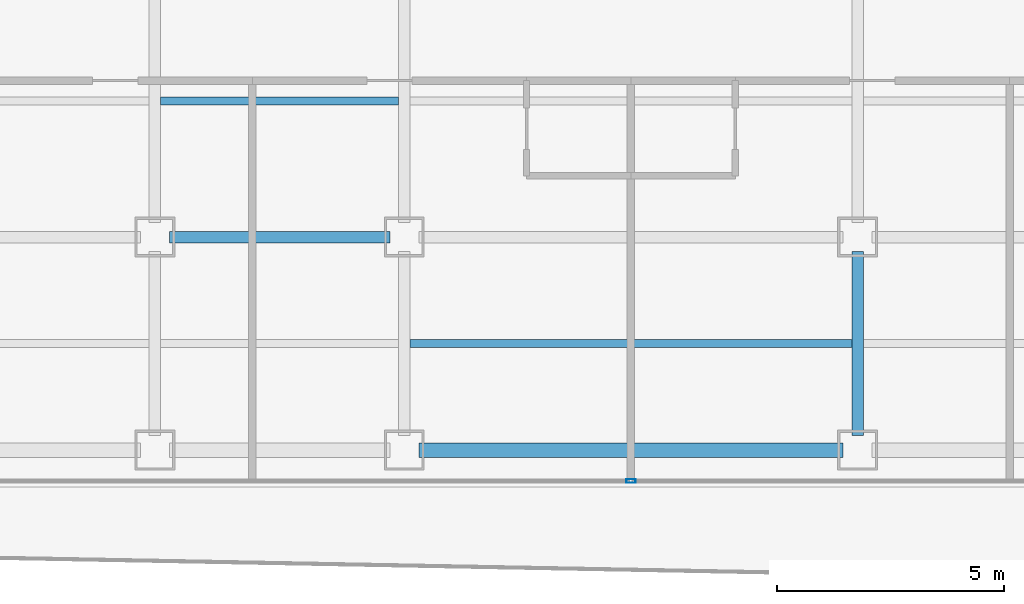
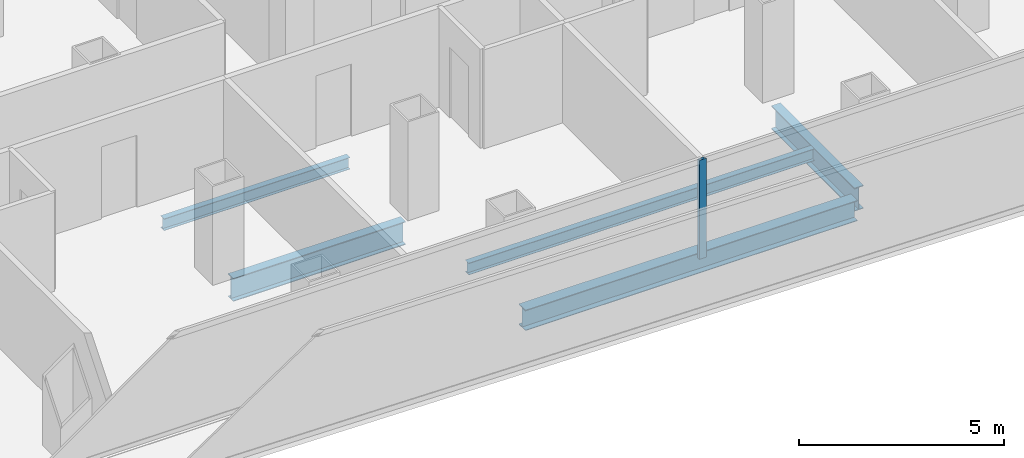
# One storey, part 4 of 21: 5 beams, 1 member, 1 element without a shape of its own.
"""IFC4 building model written with IfcOpenShell, lengths in metres."""

from ifc_helpers import new_model, si_unit, direction, frame, origin, origin_2d, place, context, subcontext, project, spatial, hollow_rectangle, i_section, extrude, source, transform, mapped, material, layer, layer_set, material_profile, profile_set, type_object, element, aggregate, save


model = new_model("IFC4")

# Units and contexts
model_context = context("Model", 3, precision=1e-05, world=origin(), true_north=direction((0.0, 1.0)))
body_context = subcontext(model_context, "Body", "Model", "MODEL_VIEW")
ifc_project = project(units=[si_unit("LENGTHUNIT", "METRE"), si_unit("AREAUNIT", "SQUARE_METRE"), si_unit("VOLUMEUNIT", "CUBIC_METRE"), si_unit("PLANEANGLEUNIT", "RADIAN"), si_unit("MASSUNIT", "GRAM", prefix="KILO")], contexts=[model_context])

# Site, building, storey
site_placement = place(None, origin())
site = spatial("IfcSite", under=ifc_project, at=site_placement, CompositionType="ELEMENT")
building_placement = place(site_placement, origin())
building = spatial("IfcBuilding", under=site, at=building_placement, Name="Kolveth Station Tower", CompositionType="ELEMENT")
storey_placement = place(building_placement, frame((0.0, 0.0, 95.89990234375)))
storey = spatial("IfcBuildingStorey", under=building, at=storey_placement, Name="L25", CompositionType="ELEMENT", Elevation=95.89990234375)

# Beams
ifc_material_1 = material(Name="Steel S355", Category="steel")
ifc_material_profile_1 = material_profile(ifc_material_1, i_section(OverallWidth=0.323974609375, OverallDepth=0.611083984375, WebThickness=0.0126953125, FlangeThickness=0.01904296875, at=origin_2d()), Name="W610x155")
ifc_profile_set_1 = profile_set([ifc_material_profile_1], Name="Steel S355")
beam_type_1 = type_object("IfcBeamType", Name="Beam_SP2", PredefinedType="SPANDREL", material=ifc_profile_set_1)
shared_shape_1 = source(origin(), body_context, "Body", "SweptSolid", [
    extrude(i_section(OverallWidth=0.323974609375, OverallDepth=0.611083984375, WebThickness=0.0126953125, FlangeThickness=0.01904296875, at=origin_2d()), origin(), (0.0, 0.0, 1.0), 9.35986328125),
])
beam_1_placement = place(storey_placement, frame((18.820068359375, 0.800048828125, -0.555419921875), z_axis=(1.0, 0.0, 0.0), x_axis=(0.0, 1.0, 0.0)))
element("IfcBeam", 1, at=beam_1_placement, inside=storey, type_object=beam_type_1, Name="L25 Perimeter Spandrel BM-L25-PS-3", PredefinedType="SPANDREL", context=body_context, shape_type="MappedRepresentation", body=[
    mapped(shared_shape_1, transform((0.0, 0.0, 0.0), x_axis=(1.0, 0.0, 0.0), y_axis=(0.0, 1.0, 0.0), z_axis=(0.0, 0.0, 1.0), scale=1.0)),
])
ifc_material_profile_2 = material_profile(ifc_material_1, i_section(OverallWidth=0.25390625, OverallDepth=0.68798828125, WebThickness=0.01318359375, FlangeThickness=0.02099609375, at=origin_2d()), Name="W690x152")
ifc_profile_set_2 = profile_set([ifc_material_profile_2], Name="Steel S355")
beam_type_2 = type_object("IfcBeamType", Name="Beam_B4", PredefinedType="BEAM", material=ifc_profile_set_2)
shared_shape_2 = source(origin(), body_context, "Body", "SweptSolid", [
    extrude(i_section(OverallWidth=0.25390625, OverallDepth=0.68798828125, WebThickness=0.01318359375, FlangeThickness=0.02099609375, at=origin_2d()), origin(), (0.0, 0.0, 1.0), 4.85986328125),
])
beam_2_placement = place(storey_placement, frame((13.320068359375, 5.5, -0.593994140625), z_axis=(1.0, 0.0, 0.0), x_axis=(0.0, 1.0, 0.0)))
element("IfcBeam", 2, at=beam_2_placement, inside=storey, type_object=beam_type_2, Name="L25 Primary Girder BM-L25-GY55-3", PredefinedType="BEAM", context=body_context, shape_type="MappedRepresentation", body=[
    mapped(shared_shape_2, transform((0.0, 0.0, 0.0), x_axis=(1.0, 0.0, 0.0), y_axis=(0.0, 1.0, 0.0), z_axis=(0.0, 0.0, 1.0), scale=1.0)),
])
shared_shape_3 = source(origin(), body_context, "Body", "SweptSolid", [
    extrude(i_section(OverallWidth=0.25390625, OverallDepth=0.68798828125, WebThickness=0.01318359375, FlangeThickness=0.02099609375, at=origin_2d()), origin(), (0.0, 0.0, 1.0), 4.059814453125),
])
beam_3_placement = place(storey_placement, frame((28.5, 1.1201171875, -0.593994140625), z_axis=(0.0, 1.0, 0.0), x_axis=(-1.0, 0.0, 0.0)))
element("IfcBeam", 3, at=beam_3_placement, inside=storey, type_object=beam_type_2, Name="L25 Primary Girder BM-L25-GX285-1", PredefinedType="BEAM", context=body_context, shape_type="MappedRepresentation", body=[
    mapped(shared_shape_3, transform((0.0, 0.0, 0.0), x_axis=(1.0, 0.0, 0.0), y_axis=(0.0, 1.0, 0.0), z_axis=(0.0, 0.0, 1.0), scale=1.0)),
])
ifc_material_profile_3 = material_profile(ifc_material_1, i_section(OverallWidth=0.1708984375, OverallDepth=0.35205078125, WebThickness=0.0068359375, FlangeThickness=0.009765625, at=origin_2d()), Name="W360x44")
ifc_profile_set_3 = profile_set([ifc_material_profile_3], Name="Steel S355")
beam_type_3 = type_object("IfcBeamType", Name="Beam_J2", PredefinedType="JOIST", material=ifc_profile_set_3)
shared_shape_4 = source(origin(), body_context, "Body", "SweptSolid", [
    extrude(i_section(OverallWidth=0.1708984375, OverallDepth=0.35205078125, WebThickness=0.0068359375, FlangeThickness=0.009765625, at=origin_2d()), origin(), (0.0, 0.0, 1.0), 5.25),
])
beam_4_placement = place(storey_placement, frame((13.125, 8.5, -0.42578125), z_axis=(1.0, 0.0, 0.0), x_axis=(0.0, 1.0, 0.0)))
element("IfcBeam", 4, at=beam_4_placement, inside=storey, type_object=beam_type_3, Name="L25 Secondary Joist JST-L25-3-2", PredefinedType="JOIST", context=body_context, shape_type="MappedRepresentation", body=[
    mapped(shared_shape_4, transform((0.0, 0.0, 0.0), x_axis=(1.0, 0.0, 0.0), y_axis=(0.0, 1.0, 0.0), z_axis=(0.0, 0.0, 1.0), scale=1.0)),
])
shared_shape_5 = source(origin(), body_context, "Body", "SweptSolid", [
    extrude(i_section(OverallWidth=0.1708984375, OverallDepth=0.35205078125, WebThickness=0.0068359375, FlangeThickness=0.009765625, at=origin_2d()), origin(), (0.0, 0.0, 1.0), 9.75),
])
beam_5_placement = place(storey_placement, frame((18.625, 3.14990234375, -0.42578125), z_axis=(1.0, 0.0, 0.0), x_axis=(0.0, 1.0, 0.0)))
element("IfcBeam", 5, at=beam_5_placement, inside=storey, type_object=beam_type_3, Name="L25 Secondary Joist JST-L25-4-1", PredefinedType="JOIST", context=body_context, shape_type="MappedRepresentation", body=[
    mapped(shared_shape_5, transform((0.0, 0.0, 0.0), x_axis=(1.0, 0.0, 0.0), y_axis=(0.0, 1.0, 0.0), z_axis=(0.0, 0.0, 1.0), scale=1.0)),
])

# Curtain wall, member
ifc_material_2 = material(Name="Aluminium 6063-T6 and low-E dark glass", Category="aluminium")
ifc_layer = layer(ifc_material_2, 0.18994140625)
ifc_layer_set = layer_set([ifc_layer], Name="Aluminium 6063-T6 and low-E dark glass")
curtain_wall_type = type_object("IfcCurtainWallType", Name="CurtainWall_CW-Z2", PredefinedType="NOTDEFINED", material=ifc_layer_set)
curtain_wall_placement = place(storey_placement, origin())
curtain_wall = element("IfcCurtainWall", 6, at=curtain_wall_placement, inside=storey, type_object=curtain_wall_type, Name="L25 Inner Thermal Curtain Wall 12", PredefinedType="NOTDEFINED")
ifc_material_3 = material(Name="Black anodized aluminium 6063-T6", Category="aluminium")
ifc_material_profile_4 = material_profile(ifc_material_3, hollow_rectangle(XDim=0.080078125, YDim=0.199951171875, WallThickness=0.0048828125, at=origin_2d()), Name="ALU-80x200x5")
ifc_profile_set_4 = profile_set([ifc_material_profile_4], Name="Black anodized aluminium 6063-T6")
member_type = type_object("IfcMemberType", Name="Mullion_ML2", PredefinedType="MULLION", material=ifc_profile_set_4)
shared_shape_6 = source(origin(), body_context, "Body", "SweptSolid", [
    extrude(hollow_rectangle(XDim=0.080078125, YDim=0.199951171875, WallThickness=0.0048828125, at=origin_2d()), origin(), (0.0, 0.0, 1.0), 2.9501953125),
])
member_placement = place(storey_placement, frame((23.5, 0.1201171875, 0.0), z_axis=(0.0, 0.0, 1.0), x_axis=(0.0, 1.0, 0.0)))
member = element("IfcMember", 7, at=member_placement, type_object=member_type, Name="CW-Z2 mullion 2", PredefinedType="MULLION", context=body_context, shape_type="MappedRepresentation", body=[
    mapped(shared_shape_6, transform((0.0, 0.0, 0.0), x_axis=(1.0, 0.0, 0.0), y_axis=(0.0, 1.0, 0.0), z_axis=(0.0, 0.0, 1.0), scale=1.0)),
])
aggregate(curtain_wall, [member])

save(model, "model.ifc")
